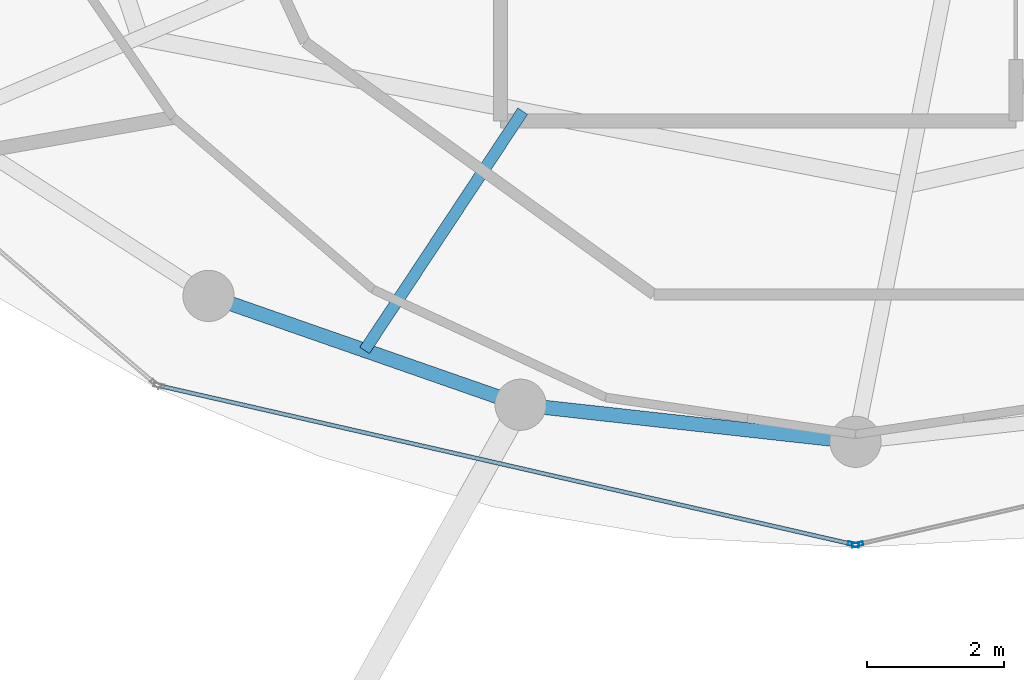
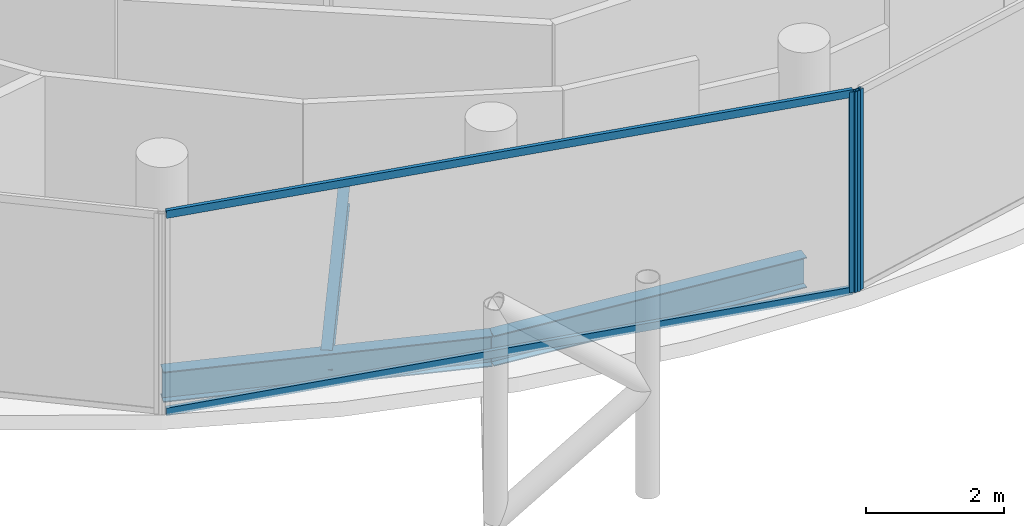
# One storey, part 4 of 24: 4 members, 3 beams, 2 elements without a shape of their own.
"""IFC4 building model written with IfcOpenShell, lengths in metres."""

import ifcopenshell
import ifcopenshell.guid

model = None  # the IFC model being written
_history = None  # IfcOwnerHistory: only IFC2X3 demands one
_inside = {}  # id of a spatial element -> (the spatial element, [elements in it])
_under = {}  # id of a project, library or spatial element -> (it, [spatial elements below it])
_declared = {}  # id of a project -> (the project, [libraries it declares])
_typed = {}  # id of a type object -> (the type object, [elements of that type])
_made_of = {}  # id of a material, layer set ... -> (it, [elements and type objects made of it])


def new_model(schema):
    """Start an empty IFC model of exactly this schema.

    Asked for "IFC4X3", IfcOpenShell would pick the latest addendum, in which some entities
    have other attributes; the version numbers below select the first issue.
    IFC2X3 requires an IfcOwnerHistory on every rooted entity: one is made here for all.
    """
    global model, _history
    if schema == "IFC4X3":
        model = ifcopenshell.file(schema_version=(4, 3, 0, 0))
    else:
        model = ifcopenshell.file(schema=schema)
    _inside.clear()
    _under.clear()
    _declared.clear()
    _typed.clear()
    _made_of.clear()
    _history = None
    if model.schema == "IFC2X3":
        org = make("IfcOrganization", Name="unknown")
        user = make(
            "IfcPersonAndOrganization",
            ThePerson=make("IfcPerson", FamilyName="unknown"),
            TheOrganization=org,
        )
        app = make(
            "IfcApplication",
            ApplicationDeveloper=org,
            Version="unknown",
            ApplicationFullName="unknown",
            ApplicationIdentifier="unknown",
        )
        _history = make(
            "IfcOwnerHistory",
            OwningUser=user,
            OwningApplication=app,
            ChangeAction="ADDED",
            CreationDate=0,
        )
    return model


def make(cls, **values):
    """One entity of the class cls with the attributes given. An attribute that is None is left unset."""
    return model.create_entity(
        cls, **{name: value for name, value in values.items() if value is not None}
    )


def rooted(cls, **values):
    """An entity with a GlobalId (a new one), such as an element, a storey or a relation."""
    return make(cls, GlobalId=ifcopenshell.guid.new(), OwnerHistory=_history, **values)


def si_unit(unit_type, name, prefix=None):
    """IfcSIUnit, for example si_unit("LENGTHUNIT", "METRE", prefix="MILLI")."""
    return make("IfcSIUnit", UnitType=unit_type, Prefix=prefix, Name=name)


def assignment(units):
    """IfcUnitAssignment: the units of a project."""
    return None if units is None else make("IfcUnitAssignment", Units=units)


def point(xyz):
    """IfcCartesianPoint."""
    return None if xyz is None else make("IfcCartesianPoint", Coordinates=xyz)


def direction(xyz):
    """IfcDirection."""
    return None if xyz is None else make("IfcDirection", DirectionRatios=xyz)


def frame(location, z_axis=None, x_axis=None):
    """IfcAxis2Placement3D, a coordinate frame: its origin and axes. An axis left out is left unset."""
    return make(
        "IfcAxis2Placement3D",
        Location=point(location),
        Axis=direction(z_axis),
        RefDirection=direction(x_axis),
    )


def frame_2d(location, x_axis=None):
    """IfcAxis2Placement2D, a coordinate frame in the plane: its origin and x axis."""
    return make(
        "IfcAxis2Placement2D", Location=point(location), RefDirection=direction(x_axis)
    )


def origin():
    """The frame at (0, 0, 0) with its axes left unset."""
    return frame((0.0, 0.0, 0.0))


def origin_2d():
    """The frame at (0, 0) in the plane with its x axis left unset."""
    return frame_2d((0.0, 0.0))


def place(relative_to, where):
    """IfcLocalPlacement: puts the frame where relative to a parent placement (None: the world)."""
    return make(
        "IfcLocalPlacement", PlacementRelTo=relative_to, RelativePlacement=where
    )


def context(
    kind, dimensions, precision=None, world=None, true_north=None, identifier=None
):
    """IfcGeometricRepresentationContext, for example the 3D "Model" context."""
    return make(
        "IfcGeometricRepresentationContext",
        ContextIdentifier=identifier,
        ContextType=kind,
        CoordinateSpaceDimension=dimensions,
        Precision=precision,
        WorldCoordinateSystem=world,
        TrueNorth=true_north,
    )


def subcontext(parent, identifier, kind, view, scale=None):
    """IfcGeometricRepresentationSubContext, for example "Body" below "Model"."""
    return make(
        "IfcGeometricRepresentationSubContext",
        ContextIdentifier=identifier,
        ContextType=kind,
        ParentContext=parent,
        TargetScale=scale,
        TargetView=view,
    )


def project(units=None, contexts=None):
    """IfcProject with its units and contexts."""
    return rooted(
        "IfcProject",
        Name="project",
        RepresentationContexts=contexts,
        UnitsInContext=assignment(units),
    )


def spatial(cls, under=None, at=None, **own):
    """A site, building, storey or space (cls), placed at a placement, below another one or the project."""
    s = rooted(cls, ObjectPlacement=at, **own)
    if under is not None:
        _under.setdefault(under.id(), (under, []))[1].append(s)
    return s


def profile(cls, at=None, kind="AREA", **sizes):
    """A parametric profile (cls). Its sizes go by their IFC names, for example OverallWidth=200.0."""
    return make(cls, ProfileType=kind, Position=at, **sizes)


def hollow_rectangle(**sizes):
    """IfcRectangleHollowProfileDef."""
    return profile("IfcRectangleHollowProfileDef", **sizes)


def i_section(**sizes):
    """IfcIShapeProfileDef."""
    return profile("IfcIShapeProfileDef", **sizes)


def extrude(swept, where, along, depth):
    """IfcExtrudedAreaSolid: the profile swept, set in the frame where, extruded along a direction by depth."""
    return make(
        "IfcExtrudedAreaSolid",
        SweptArea=swept,
        Position=where,
        ExtrudedDirection=direction(along),
        Depth=depth,
    )


def shape(context_of_items, identifier, shape_type, items):
    """IfcShapeRepresentation: the items that make up one representation, for example the "Body"."""
    return make(
        "IfcShapeRepresentation",
        ContextOfItems=context_of_items,
        RepresentationIdentifier=identifier,
        RepresentationType=shape_type,
        Items=items,
    )


def material(Name=None, Category=None):
    """IfcMaterial."""
    return make("IfcMaterial", Name=Name, Category=Category)


def layer(
    of_material, thickness, ventilated=None, Name=None, Category=None, Priority=None
):
    """IfcMaterialLayer: one layer of a wall or slab, of a material (None: an air gap)."""
    return make(
        "IfcMaterialLayer",
        Material=of_material,
        LayerThickness=thickness,
        IsVentilated=ventilated,
        Name=Name,
        Category=Category,
        Priority=Priority,
    )


def layer_set(layers, Name=None):
    """IfcMaterialLayerSet."""
    return make("IfcMaterialLayerSet", MaterialLayers=layers, LayerSetName=Name)


def material_profile(
    of_material, cross_section, Name=None, Category=None, Priority=None
):
    """IfcMaterialProfile: a cross section and its material."""
    return make(
        "IfcMaterialProfile",
        Name=Name,
        Material=of_material,
        Profile=cross_section,
        Priority=Priority,
        Category=Category,
    )


def profile_set(profiles, Name=None, composite=None):
    """IfcMaterialProfileSet."""
    return make(
        "IfcMaterialProfileSet",
        Name=Name,
        MaterialProfiles=profiles,
        CompositeProfile=composite,
    )


def made_of(thing, what):
    """Note that an element or type object is made of a material, layer set ...; save() writes the relation."""
    if what is not None:
        _made_of.setdefault(what.id(), (what, []))[1].append(thing)
    return thing


def type_object(cls, material=None, **own):
    """A type object (cls), such as IfcWallType, which elements share."""
    return made_of(rooted(cls, **own), material)


def element(
    cls,
    number,
    at=None,
    inside=None,
    cuts=None,
    type_object=None,
    material=None,
    context=None,
    identifier="Body",
    shape_type=None,
    held_by="IfcProductDefinitionShape",
    body=None,
    shapes=None,
    **own,
):
    """One element of the class cls, such as IfcWall. Its Tag is "e" and its number.

    at: its placement. inside: the storey or other place that contains it. cuts: it is an
    opening in that element (IfcRelVoidsElement). A single representation is given by context,
    identifier, shape_type and body (its items); several are given by shapes. held_by: the class
    of the entity that holds the representations. save() writes the other relations.
    """
    e = rooted(cls, Tag="e%d" % number, ObjectPlacement=at, **own)
    if body is not None:
        shapes = [shape(context, identifier, shape_type, body)]
    if shapes is not None:
        e.Representation = make(held_by, Representations=shapes)
    if inside is not None:
        _inside.setdefault(inside.id(), (inside, []))[1].append(e)
    if cuts is not None:
        rooted(
            "IfcRelVoidsElement", RelatingBuildingElement=cuts, RelatedOpeningElement=e
        )
    if type_object is not None:
        _typed.setdefault(type_object.id(), (type_object, []))[1].append(e)
    return made_of(e, material)


def aggregate(whole, parts):
    """IfcRelAggregates: a whole, such as a stair, and the parts it consists of."""
    return rooted("IfcRelAggregates", RelatingObject=whole, RelatedObjects=parts)


def save(model, path):
    """Write the relations noted so far, then the file.

    IfcRelAggregates (storeys below a building ...), IfcRelContainedInSpatialStructure (elements
    in a storey), IfcRelDefinesByType, IfcRelAssociatesMaterial and IfcRelDeclares: one each for
    every whole, place, type object, material and project.
    """
    for whole, parts in _under.values():
        aggregate(whole, parts)
    for where, things in _inside.values():
        rooted(
            "IfcRelContainedInSpatialStructure",
            RelatedElements=things,
            RelatingStructure=where,
        )
    for kind, things in _typed.values():
        rooted("IfcRelDefinesByType", RelatedObjects=things, RelatingType=kind)
    for what, things in _made_of.values():
        rooted("IfcRelAssociatesMaterial", RelatedObjects=things, RelatingMaterial=what)
    for by, libraries in _declared.values():
        rooted("IfcRelDeclares", RelatingContext=by, RelatedDefinitions=libraries)
    model.write(path)


model = new_model("IFC4")

# Units and contexts
model_context = context("Model", 3, precision=1e-05, world=origin(), true_north=direction((0.0, 1.0)))
body_context = subcontext(model_context, "Body", "Model", "MODEL_VIEW")
ifc_project = project(units=[si_unit("LENGTHUNIT", "METRE"), si_unit("AREAUNIT", "SQUARE_METRE"), si_unit("VOLUMEUNIT", "CUBIC_METRE"), si_unit("PLANEANGLEUNIT", "RADIAN"), si_unit("MASSUNIT", "GRAM", prefix="KILO")], contexts=[model_context])

# Site, building, storey
site_placement = place(None, origin())
site = spatial("IfcSite", under=ifc_project, at=site_placement, CompositionType="ELEMENT")
building_placement = place(site_placement, origin())
building = spatial("IfcBuilding", under=site, at=building_placement, Name="Nuhasar Tower", CompositionType="ELEMENT")
storey_placement = place(building_placement, frame((0.0, 0.0, 259.39990234375)))
storey = spatial("IfcBuildingStorey", under=building, at=storey_placement, Name="L64", CompositionType="ELEMENT", Elevation=259.39990234375)

# Beams
ifc_material_1 = material(Name="Steel S355", Category="steel")
ifc_material_profile_1 = material_profile(ifc_material_1, i_section(OverallWidth=0.1708984375, OverallDepth=0.35205078125, WebThickness=0.0068359375, FlangeThickness=0.009765625, at=origin_2d()), Name="W14X30")
ifc_profile_set_1 = profile_set([ifc_material_profile_1], Name="Steel S355")
beam_type_1 = type_object("IfcBeamType", Name="BM-JST-W14X30", PredefinedType="JOIST", material=ifc_profile_set_1)
beam_1_placement = place(storey_placement, frame((34.126953125, 15.693115234375, -0.435791015625), z_axis=(-0.551638003526, -0.834083636733, 0.0), x_axis=(0.834083636733, -0.551638003526, 0.0)))
element("IfcBeam", 1, at=beam_1_placement, inside=storey, type_object=beam_type_1, Name="L64 Secondary Floor Joist 01", PredefinedType="JOIST", context=body_context, shape_type="SweptSolid", body=[
    extrude(i_section(OverallWidth=0.1708984375, OverallDepth=0.35205078125, WebThickness=0.0068359375, FlangeThickness=0.009765625, at=origin_2d()), origin(), (0.0, 0.0, 1.0), 4.199951171875),
])
ifc_material_profile_2 = material_profile(ifc_material_1, i_section(OverallWidth=0.2099609375, OverallDepth=0.537109375, WebThickness=0.010986328125, FlangeThickness=0.017333984375, at=origin_2d()), Name="W21X68")
ifc_profile_set_2 = profile_set([ifc_material_profile_2], Name="Steel S355")
beam_type_2 = type_object("IfcBeamType", Name="BM-RING-W21X68", PredefinedType="SPANDREL", material=ifc_profile_set_2)
beam_2_placement = place(storey_placement, frame((29.52490234375, 12.987060546875, -0.52880859375), z_axis=(0.944214043504, -0.329332415729, 0.0), x_axis=(0.329332415729, 0.944214043504, 0.0)))
element("IfcBeam", 2, at=beam_2_placement, inside=storey, type_object=beam_type_2, Name="L64 Perimeter Ring Spandrel 17", PredefinedType="SPANDREL", context=body_context, shape_type="SweptSolid", body=[
    extrude(i_section(OverallWidth=0.2099609375, OverallDepth=0.537109375, WebThickness=0.010986328125, FlangeThickness=0.017333984375, at=origin_2d()), origin(), (0.0, 0.0, 1.0), 4.840087890625),
])
beam_3_placement = place(storey_placement, frame((34.094970703125, 11.39306640625, -0.52880859375), z_axis=(0.99392889943, -0.110024283128, 0.0), x_axis=(0.110024283128, 0.99392889943, 0.0)))
element("IfcBeam", 3, at=beam_3_placement, inside=storey, type_object=beam_type_2, Name="L64 Perimeter Ring Spandrel 18", PredefinedType="SPANDREL", context=body_context, shape_type="SweptSolid", body=[
    extrude(i_section(OverallWidth=0.2099609375, OverallDepth=0.537109375, WebThickness=0.010986328125, FlangeThickness=0.017333984375, at=origin_2d()), origin(), (0.0, 0.0, 1.0), 4.93505859375),
])

# Curtain wall, member
ifc_material_2 = material(Name="Aluminium 6063-T6", Category="aluminium")
ifc_layer = layer(ifc_material_2, 0.18994140625)
ifc_layer_set = layer_set([ifc_layer], Name="Aluminium 6063-T6")
curtain_wall_type = type_object("IfcCurtainWallType", Name="CW-Z4-PEN", PredefinedType="NOTDEFINED", material=ifc_layer_set)
curtain_wall_1_placement = place(storey_placement, origin())
curtain_wall_1 = element("IfcCurtainWall", 4, at=curtain_wall_1_placement, inside=storey, type_object=curtain_wall_type, Name="L64 Unitised Curtain Wall 09", PredefinedType="NOTDEFINED")
ifc_material_profile_3 = material_profile(ifc_material_2, hollow_rectangle(XDim=0.06005859375, YDim=0.1650390625, WallThickness=0.0048828125, at=origin_2d()), Name="CWM-5")
ifc_profile_set_3 = profile_set([ifc_material_profile_3], Name="Aluminium 6063-T6")
member_type_1 = type_object("IfcMemberType", Name="CW-MUL-S5", PredefinedType="MULLION", material=ifc_profile_set_3)
member_1_placement = place(storey_placement, frame((38.970703125, 9.3466796875, 0.0), z_axis=(0.0, 0.0, 1.0), x_axis=(0.222889487645, 0.97484371891, 0.0)))
member_1 = element("IfcMember", 5, at=member_1_placement, type_object=member_type_1, Name="CW-Z4 mullion 2", PredefinedType="MULLION", context=body_context, shape_type="SweptSolid", body=[
    extrude(hollow_rectangle(XDim=0.06005859375, YDim=0.1650390625, WallThickness=0.0048828125, at=origin_2d()), origin(), (0.0, 0.0, 1.0), 3.5400390625),
])

curtain_wall_2_placement = place(storey_placement, origin())
curtain_wall_2 = element("IfcCurtainWall", 6, at=curtain_wall_2_placement, inside=storey, type_object=curtain_wall_type, Name="L64 Unitised Curtain Wall 10", PredefinedType="NOTDEFINED")
member_2_placement = place(storey_placement, frame((39.029296875, 9.3466796875, 0.0), z_axis=(0.0, 0.0, 1.0), x_axis=(-0.222889487645, 0.97484371891, 0.0)))
member_2 = element("IfcMember", 7, at=member_2_placement, type_object=member_type_1, Name="CW-Z4 mullion 1", PredefinedType="MULLION", context=body_context, shape_type="SweptSolid", body=[
    extrude(hollow_rectangle(XDim=0.06005859375, YDim=0.1650390625, WallThickness=0.0048828125, at=origin_2d()), origin(), (0.0, 0.0, 1.0), 3.5400390625),
])
aggregate(curtain_wall_2, [member_2])

# Member
ifc_material_profile_4 = material_profile(ifc_material_2, hollow_rectangle(XDim=0.06005859375, YDim=0.135009765625, WallThickness=0.00439453125, at=origin_2d()), Name="CWT-5")
ifc_profile_set_4 = profile_set([ifc_material_profile_4], Name="Aluminium 6063-T6")
member_type_2 = type_object("IfcMemberType", Name="CW-TRN-S5", PredefinedType="USERDEFINED", material=ifc_profile_set_4)
member_3_placement = place(storey_placement, frame((28.828369140625, 11.66552734375, 0.030029296875), z_axis=(0.974843752401, -0.222889341163, 0.0), x_axis=(0.222889341163, 0.974843752401, 0.0)))
member_3 = element("IfcMember", 8, at=member_3_placement, type_object=member_type_2, Name="CW-Z4 transom 1.1", ObjectType="TRANSOM", PredefinedType="USERDEFINED", context=body_context, shape_type="SweptSolid", body=[
    extrude(hollow_rectangle(XDim=0.06005859375, YDim=0.135009765625, WallThickness=0.00439453125, at=origin_2d()), origin(), (0.0, 0.0, 1.0), 10.3740234375),
])

member_4_placement = place(storey_placement, frame((28.828369140625, 11.66552734375, 3.510009765625), z_axis=(0.974843752401, -0.222889341163, 0.0), x_axis=(0.222889341163, 0.974843752401, 0.0)))
member_4 = element("IfcMember", 9, at=member_4_placement, type_object=member_type_2, Name="CW-Z4 transom 1.2", ObjectType="TRANSOM", PredefinedType="USERDEFINED", context=body_context, shape_type="SweptSolid", body=[
    extrude(hollow_rectangle(XDim=0.06005859375, YDim=0.135009765625, WallThickness=0.00439453125, at=origin_2d()), origin(), (0.0, 0.0, 1.0), 10.3740234375),
])

aggregate(curtain_wall_1, [member_1, member_3, member_4])

save(model, "model.ifc")
